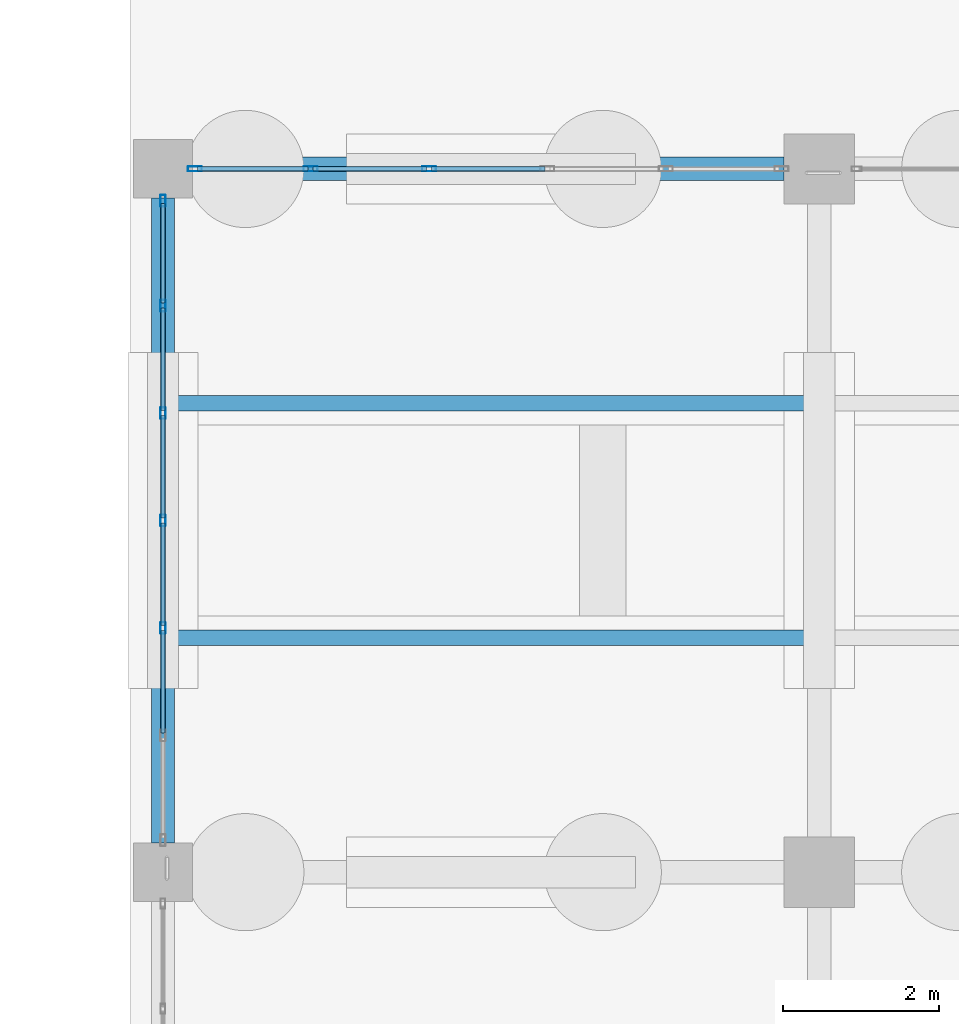
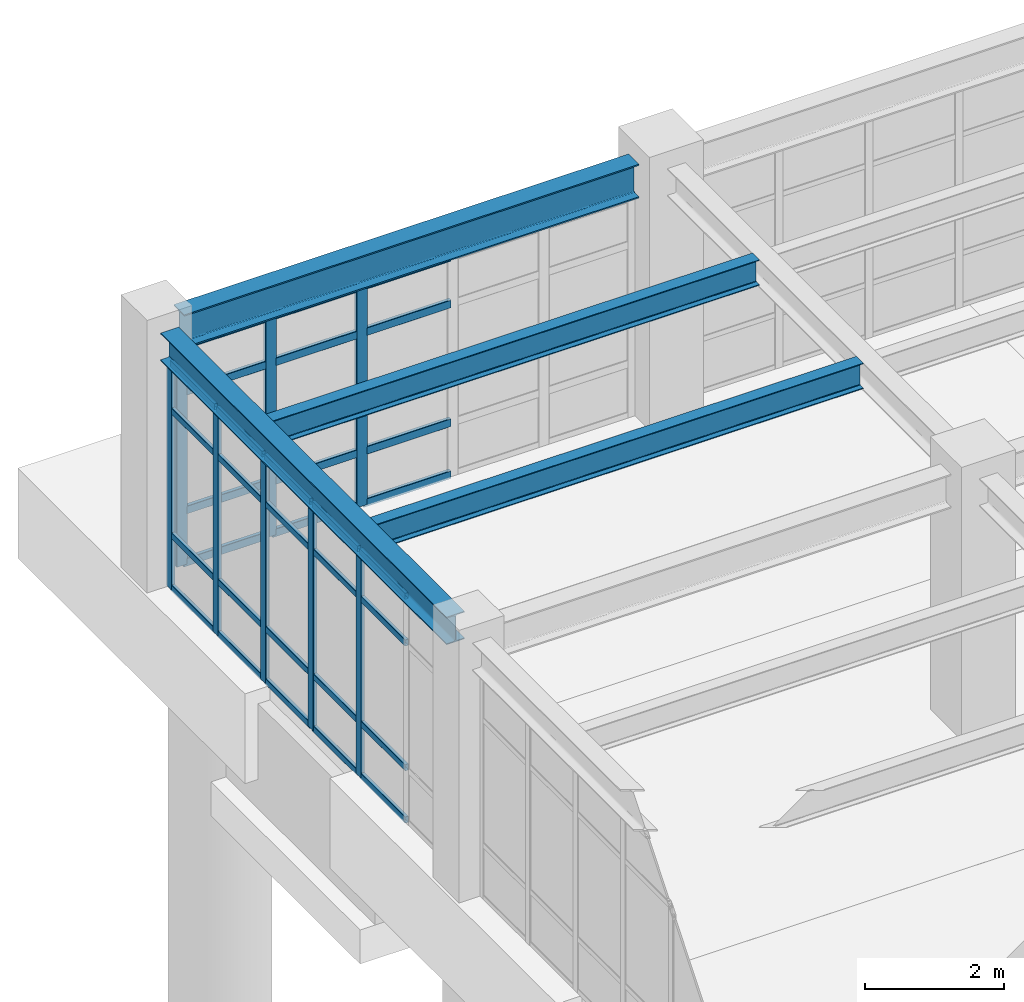
# One storey, part 61 of 139: 40 members, 4 beams, 2 elements without a shape of their own.
"""IFC4 building model written with IfcOpenShell, lengths in metres."""

import ifcopenshell
import ifcopenshell.guid

model = None  # the IFC model being written
_history = None  # IfcOwnerHistory: only IFC2X3 demands one
_inside = {}  # id of a spatial element -> (the spatial element, [elements in it])
_under = {}  # id of a project, library or spatial element -> (it, [spatial elements below it])
_declared = {}  # id of a project -> (the project, [libraries it declares])
_typed = {}  # id of a type object -> (the type object, [elements of that type])
_made_of = {}  # id of a material, layer set ... -> (it, [elements and type objects made of it])


def new_model(schema):
    """Start an empty IFC model of exactly this schema.

    Asked for "IFC4X3", IfcOpenShell would pick the latest addendum, in which some entities
    have other attributes; the version numbers below select the first issue.
    IFC2X3 requires an IfcOwnerHistory on every rooted entity: one is made here for all.
    """
    global model, _history
    if schema == "IFC4X3":
        model = ifcopenshell.file(schema_version=(4, 3, 0, 0))
    else:
        model = ifcopenshell.file(schema=schema)
    _inside.clear()
    _under.clear()
    _declared.clear()
    _typed.clear()
    _made_of.clear()
    _history = None
    if model.schema == "IFC2X3":
        org = make("IfcOrganization", Name="unknown")
        user = make(
            "IfcPersonAndOrganization",
            ThePerson=make("IfcPerson", FamilyName="unknown"),
            TheOrganization=org,
        )
        app = make(
            "IfcApplication",
            ApplicationDeveloper=org,
            Version="unknown",
            ApplicationFullName="unknown",
            ApplicationIdentifier="unknown",
        )
        _history = make(
            "IfcOwnerHistory",
            OwningUser=user,
            OwningApplication=app,
            ChangeAction="ADDED",
            CreationDate=0,
        )
    return model


def make(cls, **values):
    """One entity of the class cls with the attributes given. An attribute that is None is left unset."""
    return model.create_entity(
        cls, **{name: value for name, value in values.items() if value is not None}
    )


def rooted(cls, **values):
    """An entity with a GlobalId (a new one), such as an element, a storey or a relation."""
    return make(cls, GlobalId=ifcopenshell.guid.new(), OwnerHistory=_history, **values)


def si_unit(unit_type, name, prefix=None):
    """IfcSIUnit, for example si_unit("LENGTHUNIT", "METRE", prefix="MILLI")."""
    return make("IfcSIUnit", UnitType=unit_type, Prefix=prefix, Name=name)


def assignment(units):
    """IfcUnitAssignment: the units of a project."""
    return None if units is None else make("IfcUnitAssignment", Units=units)


def point(xyz):
    """IfcCartesianPoint."""
    return None if xyz is None else make("IfcCartesianPoint", Coordinates=xyz)


def direction(xyz):
    """IfcDirection."""
    return None if xyz is None else make("IfcDirection", DirectionRatios=xyz)


def frame(location, z_axis=None, x_axis=None):
    """IfcAxis2Placement3D, a coordinate frame: its origin and axes. An axis left out is left unset."""
    return make(
        "IfcAxis2Placement3D",
        Location=point(location),
        Axis=direction(z_axis),
        RefDirection=direction(x_axis),
    )


def frame_2d(location, x_axis=None):
    """IfcAxis2Placement2D, a coordinate frame in the plane: its origin and x axis."""
    return make(
        "IfcAxis2Placement2D", Location=point(location), RefDirection=direction(x_axis)
    )


def origin():
    """The frame at (0, 0, 0) with its axes left unset."""
    return frame((0.0, 0.0, 0.0))


def origin_2d():
    """The frame at (0, 0) in the plane with its x axis left unset."""
    return frame_2d((0.0, 0.0))


def place(relative_to, where):
    """IfcLocalPlacement: puts the frame where relative to a parent placement (None: the world)."""
    return make(
        "IfcLocalPlacement", PlacementRelTo=relative_to, RelativePlacement=where
    )


def context(
    kind, dimensions, precision=None, world=None, true_north=None, identifier=None
):
    """IfcGeometricRepresentationContext, for example the 3D "Model" context."""
    return make(
        "IfcGeometricRepresentationContext",
        ContextIdentifier=identifier,
        ContextType=kind,
        CoordinateSpaceDimension=dimensions,
        Precision=precision,
        WorldCoordinateSystem=world,
        TrueNorth=true_north,
    )


def subcontext(parent, identifier, kind, view, scale=None):
    """IfcGeometricRepresentationSubContext, for example "Body" below "Model"."""
    return make(
        "IfcGeometricRepresentationSubContext",
        ContextIdentifier=identifier,
        ContextType=kind,
        ParentContext=parent,
        TargetScale=scale,
        TargetView=view,
    )


def project(units=None, contexts=None):
    """IfcProject with its units and contexts."""
    return rooted(
        "IfcProject",
        Name="project",
        RepresentationContexts=contexts,
        UnitsInContext=assignment(units),
    )


def spatial(cls, under=None, at=None, **own):
    """A site, building, storey or space (cls), placed at a placement, below another one or the project."""
    s = rooted(cls, ObjectPlacement=at, **own)
    if under is not None:
        _under.setdefault(under.id(), (under, []))[1].append(s)
    return s


def profile(cls, at=None, kind="AREA", **sizes):
    """A parametric profile (cls). Its sizes go by their IFC names, for example OverallWidth=200.0."""
    return make(cls, ProfileType=kind, Position=at, **sizes)


def hollow_rectangle(**sizes):
    """IfcRectangleHollowProfileDef."""
    return profile("IfcRectangleHollowProfileDef", **sizes)


def i_section(**sizes):
    """IfcIShapeProfileDef."""
    return profile("IfcIShapeProfileDef", **sizes)


def extrude(swept, where, along, depth):
    """IfcExtrudedAreaSolid: the profile swept, set in the frame where, extruded along a direction by depth."""
    return make(
        "IfcExtrudedAreaSolid",
        SweptArea=swept,
        Position=where,
        ExtrudedDirection=direction(along),
        Depth=depth,
    )


def shape(context_of_items, identifier, shape_type, items):
    """IfcShapeRepresentation: the items that make up one representation, for example the "Body"."""
    return make(
        "IfcShapeRepresentation",
        ContextOfItems=context_of_items,
        RepresentationIdentifier=identifier,
        RepresentationType=shape_type,
        Items=items,
    )


def material(Name=None, Category=None):
    """IfcMaterial."""
    return make("IfcMaterial", Name=Name, Category=Category)


def material_profile(
    of_material, cross_section, Name=None, Category=None, Priority=None
):
    """IfcMaterialProfile: a cross section and its material."""
    return make(
        "IfcMaterialProfile",
        Name=Name,
        Material=of_material,
        Profile=cross_section,
        Priority=Priority,
        Category=Category,
    )


def profile_set(profiles, Name=None, composite=None):
    """IfcMaterialProfileSet."""
    return make(
        "IfcMaterialProfileSet",
        Name=Name,
        MaterialProfiles=profiles,
        CompositeProfile=composite,
    )


def made_of(thing, what):
    """Note that an element or type object is made of a material, layer set ...; save() writes the relation."""
    if what is not None:
        _made_of.setdefault(what.id(), (what, []))[1].append(thing)
    return thing


def type_object(cls, material=None, **own):
    """A type object (cls), such as IfcWallType, which elements share."""
    return made_of(rooted(cls, **own), material)


def element(
    cls,
    number,
    at=None,
    inside=None,
    cuts=None,
    type_object=None,
    material=None,
    context=None,
    identifier="Body",
    shape_type=None,
    held_by="IfcProductDefinitionShape",
    body=None,
    shapes=None,
    **own,
):
    """One element of the class cls, such as IfcWall. Its Tag is "e" and its number.

    at: its placement. inside: the storey or other place that contains it. cuts: it is an
    opening in that element (IfcRelVoidsElement). A single representation is given by context,
    identifier, shape_type and body (its items); several are given by shapes. held_by: the class
    of the entity that holds the representations. save() writes the other relations.
    """
    e = rooted(cls, Tag="e%d" % number, ObjectPlacement=at, **own)
    if body is not None:
        shapes = [shape(context, identifier, shape_type, body)]
    if shapes is not None:
        e.Representation = make(held_by, Representations=shapes)
    if inside is not None:
        _inside.setdefault(inside.id(), (inside, []))[1].append(e)
    if cuts is not None:
        rooted(
            "IfcRelVoidsElement", RelatingBuildingElement=cuts, RelatedOpeningElement=e
        )
    if type_object is not None:
        _typed.setdefault(type_object.id(), (type_object, []))[1].append(e)
    return made_of(e, material)


def aggregate(whole, parts):
    """IfcRelAggregates: a whole, such as a stair, and the parts it consists of."""
    return rooted("IfcRelAggregates", RelatingObject=whole, RelatedObjects=parts)


def save(model, path):
    """Write the relations noted so far, then the file.

    IfcRelAggregates (storeys below a building ...), IfcRelContainedInSpatialStructure (elements
    in a storey), IfcRelDefinesByType, IfcRelAssociatesMaterial and IfcRelDeclares: one each for
    every whole, place, type object, material and project.
    """
    for whole, parts in _under.values():
        aggregate(whole, parts)
    for where, things in _inside.values():
        rooted(
            "IfcRelContainedInSpatialStructure",
            RelatedElements=things,
            RelatingStructure=where,
        )
    for kind, things in _typed.values():
        rooted("IfcRelDefinesByType", RelatedObjects=things, RelatingType=kind)
    for what, things in _made_of.values():
        rooted("IfcRelAssociatesMaterial", RelatedObjects=things, RelatingMaterial=what)
    for by, libraries in _declared.values():
        rooted("IfcRelDeclares", RelatingContext=by, RelatedDefinitions=libraries)
    model.write(path)


model = new_model("IFC4")

# Units and contexts
model_context = context("Model", 3, precision=1e-05, world=origin(), true_north=direction((0.0, 1.0)))
body_context = subcontext(model_context, "Body", "Model", "MODEL_VIEW")
ifc_project = project(units=[si_unit("LENGTHUNIT", "METRE"), si_unit("AREAUNIT", "SQUARE_METRE"), si_unit("VOLUMEUNIT", "CUBIC_METRE"), si_unit("PLANEANGLEUNIT", "RADIAN"), si_unit("MASSUNIT", "GRAM", prefix="KILO")], contexts=[model_context])

# Site, building, storey
site_placement = place(None, origin())
site = spatial("IfcSite", under=ifc_project, at=site_placement, CompositionType="ELEMENT")
building_placement = place(site_placement, origin())
building = spatial("IfcBuilding", under=site, at=building_placement, Name="Canglan Escarpment Cableway Terminal", CompositionType="ELEMENT")
storey_placement = place(building_placement, frame((0.0, 0.0, 14.39990234375)))
storey = spatial("IfcBuildingStorey", under=building, at=storey_placement, Name="L03", CompositionType="ELEMENT", Elevation=14.39990234375)

# Beams
ifc_material_1 = material(Name="Steel Q355B", Category="steel")
ifc_material_profile_1 = material_profile(ifc_material_1, i_section(OverallWidth=0.300048828125, OverallDepth=0.488037109375, WebThickness=0.010986328125, FlangeThickness=0.01806640625, FilletRadius=0.02587890625, at=origin_2d()), Name="HM 488x300x11x18")
ifc_profile_set_1 = profile_set([ifc_material_profile_1], Name="Steel Q355B")
beam_type_1 = type_object("IfcBeamType", Name="BM-HM488", PredefinedType="BEAM", material=ifc_profile_set_1)
beam_1_placement = place(storey_placement, frame((111.5, 106.375, 4.256103515625), z_axis=(0.0, 1.0, 0.0), x_axis=(-1.0, 0.0, 0.0)))
element("IfcBeam", 1, at=beam_1_placement, inside=storey, type_object=beam_type_1, Name="Primary transverse girder B-09", PredefinedType="BEAM", context=body_context, shape_type="SweptSolid", body=[
    extrude(i_section(OverallWidth=0.300048828125, OverallDepth=0.488037109375, WebThickness=0.010986328125, FlangeThickness=0.01806640625, FilletRadius=0.02587890625, at=origin_2d()), origin(), (0.0, 0.0, 1.0), 8.25),
])
ifc_material_2 = material(Name="Steel Q355C", Category="steel")
ifc_material_profile_2 = material_profile(ifc_material_2, i_section(OverallWidth=0.302001953125, OverallDepth=0.593994140625, WebThickness=0.013916015625, FlangeThickness=0.02294921875, FilletRadius=0.028076171875, at=origin_2d()), Name="HM 594x302x14x23")
ifc_profile_set_2 = profile_set([ifc_material_profile_2], Name="Steel Q355C")
beam_type_2 = type_object("IfcBeamType", Name="BM-HM594", PredefinedType="BEAM", material=ifc_profile_set_2)
beam_2_placement = place(storey_placement, frame((111.875, 115.0, 4.203125), z_axis=(1.0, 0.0, 0.0), x_axis=(0.0, 1.0, 0.0)))
element("IfcBeam", 2, at=beam_2_placement, inside=storey, type_object=beam_type_2, Name="Primary structural girder B-07", PredefinedType="BEAM", context=body_context, shape_type="SweptSolid", body=[
    extrude(i_section(OverallWidth=0.302001953125, OverallDepth=0.593994140625, WebThickness=0.013916015625, FlangeThickness=0.02294921875, FilletRadius=0.028076171875, at=origin_2d()), origin(), (0.0, 0.0, 1.0), 7.574951171875),
])

# Curtain wall, members
ifc_material_3 = material(Name="Anodized bronze aluminium and Low-E double glazing", Category="aluminium")
curtain_wall_type_1 = type_object("IfcCurtainWallType", Name="CW-BAY-8250x4000", PredefinedType="NOTDEFINED", material=ifc_material_3)
curtain_wall_1_placement = place(storey_placement, origin())
curtain_wall_1 = element("IfcCurtainWall", 3, at=curtain_wall_1_placement, inside=storey, type_object=curtain_wall_type_1, Name="Classical bay-between-piers glazed curtain wall CW-48", PredefinedType="NOTDEFINED")
ifc_material_4 = material(Name="Thermally broken anodized aluminium 6063-T6", Category="aluminium")
ifc_material_profile_3 = material_profile(ifc_material_4, hollow_rectangle(XDim=0.06494140625, YDim=0.14990234375, WallThickness=0.00341796875, InnerFilletRadius=0.00341796875, OuterFilletRadius=0.007080078125, at=origin_2d()), Name="ALU-MULL 65x150x3.5")
ifc_profile_set_3 = profile_set([ifc_material_profile_3], Name="Thermally broken anodized aluminium 6063-T6")
member_type_1 = type_object("IfcMemberType", Name="CWM-02", PredefinedType="MULLION", material=ifc_profile_set_3)
member_1_placement = place(storey_placement, frame((111.5, 114.592529296875, 0.0), z_axis=(0.0, 0.0, 1.0), x_axis=(1.0, 0.0, 0.0)))
member_1 = element("IfcMember", 4, at=member_1_placement, type_object=member_type_1, Name="CW-48 mullion 1", PredefinedType="MULLION", context=body_context, shape_type="SweptSolid", body=[
    extrude(hollow_rectangle(XDim=0.06494140625, YDim=0.14990234375, WallThickness=0.00341796875, InnerFilletRadius=0.00341796875, OuterFilletRadius=0.007080078125, at=origin_2d()), origin(), (0.0, 0.0, 1.0), 3.9970703125),
])
member_2_placement = place(storey_placement, frame((111.5, 113.25, 0.0), z_axis=(0.0, 0.0, 1.0), x_axis=(1.0, 0.0, 0.0)))
member_2 = element("IfcMember", 5, at=member_2_placement, type_object=member_type_1, Name="CW-48 mullion 2", PredefinedType="MULLION", context=body_context, shape_type="SweptSolid", body=[
    extrude(hollow_rectangle(XDim=0.06494140625, YDim=0.14990234375, WallThickness=0.00341796875, InnerFilletRadius=0.00341796875, OuterFilletRadius=0.007080078125, at=origin_2d()), origin(), (0.0, 0.0, 1.0), 3.9970703125),
])
member_3_placement = place(storey_placement, frame((111.5, 111.875, 0.0), z_axis=(0.0, 0.0, 1.0), x_axis=(1.0, 0.0, 0.0)))
member_3 = element("IfcMember", 6, at=member_3_placement, type_object=member_type_1, Name="CW-48 mullion 3", PredefinedType="MULLION", context=body_context, shape_type="SweptSolid", body=[
    extrude(hollow_rectangle(XDim=0.06494140625, YDim=0.14990234375, WallThickness=0.00341796875, InnerFilletRadius=0.00341796875, OuterFilletRadius=0.007080078125, at=origin_2d()), origin(), (0.0, 0.0, 1.0), 3.9970703125),
])
member_4_placement = place(storey_placement, frame((111.5, 110.5, 0.0), z_axis=(0.0, 0.0, 1.0), x_axis=(1.0, 0.0, 0.0)))
member_4 = element("IfcMember", 7, at=member_4_placement, type_object=member_type_1, Name="CW-48 mullion 4", PredefinedType="MULLION", context=body_context, shape_type="SweptSolid", body=[
    extrude(hollow_rectangle(XDim=0.06494140625, YDim=0.14990234375, WallThickness=0.00341796875, InnerFilletRadius=0.00341796875, OuterFilletRadius=0.007080078125, at=origin_2d()), origin(), (0.0, 0.0, 1.0), 3.9970703125),
])
member_5_placement = place(storey_placement, frame((111.5, 109.125, 0.0), z_axis=(0.0, 0.0, 1.0), x_axis=(1.0, 0.0, 0.0)))
member_5 = element("IfcMember", 8, at=member_5_placement, type_object=member_type_1, Name="CW-48 mullion 5", PredefinedType="MULLION", context=body_context, shape_type="SweptSolid", body=[
    extrude(hollow_rectangle(XDim=0.06494140625, YDim=0.14990234375, WallThickness=0.00341796875, InnerFilletRadius=0.00341796875, OuterFilletRadius=0.007080078125, at=origin_2d()), origin(), (0.0, 0.0, 1.0), 3.9970703125),
])

curtain_wall_type_2 = type_object("IfcCurtainWallType", Name="CW-BAY-7575x3900", PredefinedType="NOTDEFINED", material=ifc_material_3)
curtain_wall_2_placement = place(storey_placement, origin())
curtain_wall_2 = element("IfcCurtainWall", 9, at=curtain_wall_2_placement, inside=storey, type_object=curtain_wall_type_2, Name="Classical bay-between-piers glazed curtain wall CW-49", PredefinedType="NOTDEFINED")
ifc_material_profile_4 = material_profile(ifc_material_4, hollow_rectangle(XDim=0.06494140625, YDim=0.179931640625, WallThickness=0.00390625, InnerFilletRadius=0.00390625, OuterFilletRadius=0.008056640625, at=origin_2d()), Name="ALU-MULL 65x180x4")
ifc_profile_set_4 = profile_set([ifc_material_profile_4], Name="Thermally broken anodized aluminium 6063-T6")
member_type_2 = type_object("IfcMemberType", Name="CWM-03", PredefinedType="MULLION", material=ifc_profile_set_4)
member_6_placement = place(storey_placement, frame((114.905029296875, 115.0, 0.0), z_axis=(0.0, 0.0, 1.0), x_axis=(0.0, -1.0, 0.0)))
member_6 = element("IfcMember", 10, at=member_6_placement, type_object=member_type_2, Name="CW-49 mullion 4", PredefinedType="MULLION", context=body_context, shape_type="SweptSolid", body=[
    extrude(hollow_rectangle(XDim=0.06494140625, YDim=0.179931640625, WallThickness=0.00390625, InnerFilletRadius=0.00390625, OuterFilletRadius=0.008056640625, at=origin_2d()), origin(), (0.0, 0.0, 1.0), 3.89111328125),
])
member_7_placement = place(storey_placement, frame((113.389892578125, 115.0, 0.0), z_axis=(0.0, 0.0, 1.0), x_axis=(0.0, -1.0, 0.0)))
member_7 = element("IfcMember", 11, at=member_7_placement, type_object=member_type_2, Name="CW-49 mullion 5", PredefinedType="MULLION", context=body_context, shape_type="SweptSolid", body=[
    extrude(hollow_rectangle(XDim=0.06494140625, YDim=0.179931640625, WallThickness=0.00390625, InnerFilletRadius=0.00390625, OuterFilletRadius=0.008056640625, at=origin_2d()), origin(), (0.0, 0.0, 1.0), 3.89111328125),
])
member_8_placement = place(storey_placement, frame((111.907470703125, 115.0, 0.0), z_axis=(0.0, 0.0, 1.0), x_axis=(0.0, -1.0, 0.0)))
member_8 = element("IfcMember", 12, at=member_8_placement, type_object=member_type_2, Name="CW-49 mullion 6", PredefinedType="MULLION", context=body_context, shape_type="SweptSolid", body=[
    extrude(hollow_rectangle(XDim=0.06494140625, YDim=0.179931640625, WallThickness=0.00390625, InnerFilletRadius=0.00390625, OuterFilletRadius=0.008056640625, at=origin_2d()), origin(), (0.0, 0.0, 1.0), 3.89111328125),
])

# Member
ifc_material_profile_5 = material_profile(ifc_material_4, hollow_rectangle(XDim=0.06005859375, YDim=0.110107421875, WallThickness=0.0029296875, InnerFilletRadius=0.0029296875, OuterFilletRadius=0.006103515625, at=origin_2d()), Name="ALU-TRAN 60x110x3")
ifc_profile_set_5 = profile_set([ifc_material_profile_5], Name="Thermally broken anodized aluminium 6063-T6")
member_type_3 = type_object("IfcMemberType", Name="CWT-02", PredefinedType="USERDEFINED", material=ifc_profile_set_5)
member_9_placement = place(storey_placement, frame((111.5, 114.56005859375, 0.030029296875), z_axis=(0.0, -1.0, 0.0), x_axis=(1.0, 0.0, 0.0)))
member_9 = element("IfcMember", 13, at=member_9_placement, type_object=member_type_3, Name="CW-48 transom 1.1", ObjectType="TRANSOM", PredefinedType="USERDEFINED", context=body_context, shape_type="SweptSolid", body=[
    extrude(hollow_rectangle(XDim=0.06005859375, YDim=0.110107421875, WallThickness=0.0029296875, InnerFilletRadius=0.0029296875, OuterFilletRadius=0.006103515625, at=origin_2d()), origin(), (0.0, 0.0, 1.0), 1.277587890625),
])

member_10_placement = place(storey_placement, frame((111.5, 114.56005859375, 0.9501953125), z_axis=(0.0, -1.0, 0.0), x_axis=(1.0, 0.0, 0.0)))
member_10 = element("IfcMember", 14, at=member_10_placement, type_object=member_type_3, Name="CW-48 transom 1.2", ObjectType="TRANSOM", PredefinedType="USERDEFINED", context=body_context, shape_type="SweptSolid", body=[
    extrude(hollow_rectangle(XDim=0.06005859375, YDim=0.110107421875, WallThickness=0.0029296875, InnerFilletRadius=0.0029296875, OuterFilletRadius=0.006103515625, at=origin_2d()), origin(), (0.0, 0.0, 1.0), 1.277587890625),
])

member_11_placement = place(storey_placement, frame((111.5, 114.56005859375, 3.147216796875), z_axis=(0.0, -1.0, 0.0), x_axis=(1.0, 0.0, 0.0)))
member_11 = element("IfcMember", 15, at=member_11_placement, type_object=member_type_3, Name="CW-48 transom 1.3", ObjectType="TRANSOM", PredefinedType="USERDEFINED", context=body_context, shape_type="SweptSolid", body=[
    extrude(hollow_rectangle(XDim=0.06005859375, YDim=0.110107421875, WallThickness=0.0029296875, InnerFilletRadius=0.0029296875, OuterFilletRadius=0.006103515625, at=origin_2d()), origin(), (0.0, 0.0, 1.0), 1.277587890625),
])

member_12_placement = place(storey_placement, frame((111.5, 114.56005859375, 3.967041015625), z_axis=(0.0, -1.0, 0.0), x_axis=(1.0, 0.0, 0.0)))
member_12 = element("IfcMember", 16, at=member_12_placement, type_object=member_type_3, Name="CW-48 transom 1.4", ObjectType="TRANSOM", PredefinedType="USERDEFINED", context=body_context, shape_type="SweptSolid", body=[
    extrude(hollow_rectangle(XDim=0.06005859375, YDim=0.110107421875, WallThickness=0.0029296875, InnerFilletRadius=0.0029296875, OuterFilletRadius=0.006103515625, at=origin_2d()), origin(), (0.0, 0.0, 1.0), 1.277587890625),
])

member_13_placement = place(storey_placement, frame((111.5, 113.217529296875, 0.030029296875), z_axis=(0.0, -1.0, 0.0), x_axis=(1.0, 0.0, 0.0)))
member_13 = element("IfcMember", 17, at=member_13_placement, type_object=member_type_3, Name="CW-48 transom 2.1", ObjectType="TRANSOM", PredefinedType="USERDEFINED", context=body_context, shape_type="SweptSolid", body=[
    extrude(hollow_rectangle(XDim=0.06005859375, YDim=0.110107421875, WallThickness=0.0029296875, InnerFilletRadius=0.0029296875, OuterFilletRadius=0.006103515625, at=origin_2d()), origin(), (0.0, 0.0, 1.0), 1.31005859375),
])

member_14_placement = place(storey_placement, frame((111.5, 113.217529296875, 0.9501953125), z_axis=(0.0, -1.0, 0.0), x_axis=(1.0, 0.0, 0.0)))
member_14 = element("IfcMember", 18, at=member_14_placement, type_object=member_type_3, Name="CW-48 transom 2.2", ObjectType="TRANSOM", PredefinedType="USERDEFINED", context=body_context, shape_type="SweptSolid", body=[
    extrude(hollow_rectangle(XDim=0.06005859375, YDim=0.110107421875, WallThickness=0.0029296875, InnerFilletRadius=0.0029296875, OuterFilletRadius=0.006103515625, at=origin_2d()), origin(), (0.0, 0.0, 1.0), 1.31005859375),
])

member_15_placement = place(storey_placement, frame((111.5, 113.217529296875, 3.147216796875), z_axis=(0.0, -1.0, 0.0), x_axis=(1.0, 0.0, 0.0)))
member_15 = element("IfcMember", 19, at=member_15_placement, type_object=member_type_3, Name="CW-48 transom 2.3", ObjectType="TRANSOM", PredefinedType="USERDEFINED", context=body_context, shape_type="SweptSolid", body=[
    extrude(hollow_rectangle(XDim=0.06005859375, YDim=0.110107421875, WallThickness=0.0029296875, InnerFilletRadius=0.0029296875, OuterFilletRadius=0.006103515625, at=origin_2d()), origin(), (0.0, 0.0, 1.0), 1.31005859375),
])

member_16_placement = place(storey_placement, frame((111.5, 113.217529296875, 3.967041015625), z_axis=(0.0, -1.0, 0.0), x_axis=(1.0, 0.0, 0.0)))
member_16 = element("IfcMember", 20, at=member_16_placement, type_object=member_type_3, Name="CW-48 transom 2.4", ObjectType="TRANSOM", PredefinedType="USERDEFINED", context=body_context, shape_type="SweptSolid", body=[
    extrude(hollow_rectangle(XDim=0.06005859375, YDim=0.110107421875, WallThickness=0.0029296875, InnerFilletRadius=0.0029296875, OuterFilletRadius=0.006103515625, at=origin_2d()), origin(), (0.0, 0.0, 1.0), 1.31005859375),
])

member_17_placement = place(storey_placement, frame((111.5, 111.842529296875, 0.030029296875), z_axis=(0.0, -1.0, 0.0), x_axis=(1.0, 0.0, 0.0)))
member_17 = element("IfcMember", 21, at=member_17_placement, type_object=member_type_3, Name="CW-48 transom 3.1", ObjectType="TRANSOM", PredefinedType="USERDEFINED", context=body_context, shape_type="SweptSolid", body=[
    extrude(hollow_rectangle(XDim=0.06005859375, YDim=0.110107421875, WallThickness=0.0029296875, InnerFilletRadius=0.0029296875, OuterFilletRadius=0.006103515625, at=origin_2d()), origin(), (0.0, 0.0, 1.0), 1.31005859375),
])

member_18_placement = place(storey_placement, frame((111.5, 111.842529296875, 0.9501953125), z_axis=(0.0, -1.0, 0.0), x_axis=(1.0, 0.0, 0.0)))
member_18 = element("IfcMember", 22, at=member_18_placement, type_object=member_type_3, Name="CW-48 transom 3.2", ObjectType="TRANSOM", PredefinedType="USERDEFINED", context=body_context, shape_type="SweptSolid", body=[
    extrude(hollow_rectangle(XDim=0.06005859375, YDim=0.110107421875, WallThickness=0.0029296875, InnerFilletRadius=0.0029296875, OuterFilletRadius=0.006103515625, at=origin_2d()), origin(), (0.0, 0.0, 1.0), 1.31005859375),
])

member_19_placement = place(storey_placement, frame((111.5, 111.842529296875, 3.147216796875), z_axis=(0.0, -1.0, 0.0), x_axis=(1.0, 0.0, 0.0)))
member_19 = element("IfcMember", 23, at=member_19_placement, type_object=member_type_3, Name="CW-48 transom 3.3", ObjectType="TRANSOM", PredefinedType="USERDEFINED", context=body_context, shape_type="SweptSolid", body=[
    extrude(hollow_rectangle(XDim=0.06005859375, YDim=0.110107421875, WallThickness=0.0029296875, InnerFilletRadius=0.0029296875, OuterFilletRadius=0.006103515625, at=origin_2d()), origin(), (0.0, 0.0, 1.0), 1.31005859375),
])

member_20_placement = place(storey_placement, frame((111.5, 111.842529296875, 3.967041015625), z_axis=(0.0, -1.0, 0.0), x_axis=(1.0, 0.0, 0.0)))
member_20 = element("IfcMember", 24, at=member_20_placement, type_object=member_type_3, Name="CW-48 transom 3.4", ObjectType="TRANSOM", PredefinedType="USERDEFINED", context=body_context, shape_type="SweptSolid", body=[
    extrude(hollow_rectangle(XDim=0.06005859375, YDim=0.110107421875, WallThickness=0.0029296875, InnerFilletRadius=0.0029296875, OuterFilletRadius=0.006103515625, at=origin_2d()), origin(), (0.0, 0.0, 1.0), 1.31005859375),
])

member_21_placement = place(storey_placement, frame((111.5, 110.467529296875, 0.030029296875), z_axis=(0.0, -1.0, 0.0), x_axis=(1.0, 0.0, 0.0)))
member_21 = element("IfcMember", 25, at=member_21_placement, type_object=member_type_3, Name="CW-48 transom 4.1", ObjectType="TRANSOM", PredefinedType="USERDEFINED", context=body_context, shape_type="SweptSolid", body=[
    extrude(hollow_rectangle(XDim=0.06005859375, YDim=0.110107421875, WallThickness=0.0029296875, InnerFilletRadius=0.0029296875, OuterFilletRadius=0.006103515625, at=origin_2d()), origin(), (0.0, 0.0, 1.0), 1.31005859375),
])

member_22_placement = place(storey_placement, frame((111.5, 110.467529296875, 0.9501953125), z_axis=(0.0, -1.0, 0.0), x_axis=(1.0, 0.0, 0.0)))
member_22 = element("IfcMember", 26, at=member_22_placement, type_object=member_type_3, Name="CW-48 transom 4.2", ObjectType="TRANSOM", PredefinedType="USERDEFINED", context=body_context, shape_type="SweptSolid", body=[
    extrude(hollow_rectangle(XDim=0.06005859375, YDim=0.110107421875, WallThickness=0.0029296875, InnerFilletRadius=0.0029296875, OuterFilletRadius=0.006103515625, at=origin_2d()), origin(), (0.0, 0.0, 1.0), 1.31005859375),
])

member_23_placement = place(storey_placement, frame((111.5, 110.467529296875, 3.147216796875), z_axis=(0.0, -1.0, 0.0), x_axis=(1.0, 0.0, 0.0)))
member_23 = element("IfcMember", 27, at=member_23_placement, type_object=member_type_3, Name="CW-48 transom 4.3", ObjectType="TRANSOM", PredefinedType="USERDEFINED", context=body_context, shape_type="SweptSolid", body=[
    extrude(hollow_rectangle(XDim=0.06005859375, YDim=0.110107421875, WallThickness=0.0029296875, InnerFilletRadius=0.0029296875, OuterFilletRadius=0.006103515625, at=origin_2d()), origin(), (0.0, 0.0, 1.0), 1.31005859375),
])

member_24_placement = place(storey_placement, frame((111.5, 110.467529296875, 3.967041015625), z_axis=(0.0, -1.0, 0.0), x_axis=(1.0, 0.0, 0.0)))
member_24 = element("IfcMember", 28, at=member_24_placement, type_object=member_type_3, Name="CW-48 transom 4.4", ObjectType="TRANSOM", PredefinedType="USERDEFINED", context=body_context, shape_type="SweptSolid", body=[
    extrude(hollow_rectangle(XDim=0.06005859375, YDim=0.110107421875, WallThickness=0.0029296875, InnerFilletRadius=0.0029296875, OuterFilletRadius=0.006103515625, at=origin_2d()), origin(), (0.0, 0.0, 1.0), 1.31005859375),
])

member_25_placement = place(storey_placement, frame((111.5, 109.092529296875, 0.030029296875), z_axis=(0.0, -1.0, 0.0), x_axis=(1.0, 0.0, 0.0)))
member_25 = element("IfcMember", 29, at=member_25_placement, type_object=member_type_3, Name="CW-48 transom 5.1", ObjectType="TRANSOM", PredefinedType="USERDEFINED", context=body_context, shape_type="SweptSolid", body=[
    extrude(hollow_rectangle(XDim=0.06005859375, YDim=0.110107421875, WallThickness=0.0029296875, InnerFilletRadius=0.0029296875, OuterFilletRadius=0.006103515625, at=origin_2d()), origin(), (0.0, 0.0, 1.0), 1.31005859375),
])

member_26_placement = place(storey_placement, frame((111.5, 109.092529296875, 0.9501953125), z_axis=(0.0, -1.0, 0.0), x_axis=(1.0, 0.0, 0.0)))
member_26 = element("IfcMember", 30, at=member_26_placement, type_object=member_type_3, Name="CW-48 transom 5.2", ObjectType="TRANSOM", PredefinedType="USERDEFINED", context=body_context, shape_type="SweptSolid", body=[
    extrude(hollow_rectangle(XDim=0.06005859375, YDim=0.110107421875, WallThickness=0.0029296875, InnerFilletRadius=0.0029296875, OuterFilletRadius=0.006103515625, at=origin_2d()), origin(), (0.0, 0.0, 1.0), 1.31005859375),
])

member_27_placement = place(storey_placement, frame((111.5, 109.092529296875, 3.147216796875), z_axis=(0.0, -1.0, 0.0), x_axis=(1.0, 0.0, 0.0)))
member_27 = element("IfcMember", 31, at=member_27_placement, type_object=member_type_3, Name="CW-48 transom 5.3", ObjectType="TRANSOM", PredefinedType="USERDEFINED", context=body_context, shape_type="SweptSolid", body=[
    extrude(hollow_rectangle(XDim=0.06005859375, YDim=0.110107421875, WallThickness=0.0029296875, InnerFilletRadius=0.0029296875, OuterFilletRadius=0.006103515625, at=origin_2d()), origin(), (0.0, 0.0, 1.0), 1.31005859375),
])

member_28_placement = place(storey_placement, frame((111.5, 109.092529296875, 3.967041015625), z_axis=(0.0, -1.0, 0.0), x_axis=(1.0, 0.0, 0.0)))
member_28 = element("IfcMember", 32, at=member_28_placement, type_object=member_type_3, Name="CW-48 transom 5.4", ObjectType="TRANSOM", PredefinedType="USERDEFINED", context=body_context, shape_type="SweptSolid", body=[
    extrude(hollow_rectangle(XDim=0.06005859375, YDim=0.110107421875, WallThickness=0.0029296875, InnerFilletRadius=0.0029296875, OuterFilletRadius=0.006103515625, at=origin_2d()), origin(), (0.0, 0.0, 1.0), 1.31005859375),
])

aggregate(curtain_wall_1, [member_1, member_2, member_3, member_4, member_5, member_9, member_10, member_11, member_12, member_13, member_14, member_15, member_16, member_17, member_18, member_19, member_20, member_21, member_22, member_23, member_24, member_25, member_26, member_27, member_28])

ifc_material_profile_6 = material_profile(ifc_material_4, hollow_rectangle(XDim=0.06494140625, YDim=0.139892578125, WallThickness=0.00341796875, InnerFilletRadius=0.00341796875, OuterFilletRadius=0.007080078125, at=origin_2d()), Name="ALU-TRAN 65x140x3.5")
ifc_profile_set_6 = profile_set([ifc_material_profile_6], Name="Thermally broken anodized aluminium 6063-T6")
member_type_4 = type_object("IfcMemberType", Name="CWT-03", PredefinedType="USERDEFINED", material=ifc_profile_set_6)
member_29_placement = place(storey_placement, frame((116.387451171875, 115.0, 0.03271484375), z_axis=(-1.0, 0.0, 0.0), x_axis=(0.0, -1.0, 0.0)))
member_29 = element("IfcMember", 33, at=member_29_placement, type_object=member_type_4, Name="CW-49 transom 3.1", ObjectType="TRANSOM", PredefinedType="USERDEFINED", context=body_context, shape_type="SweptSolid", body=[
    extrude(hollow_rectangle(XDim=0.06494140625, YDim=0.139892578125, WallThickness=0.00341796875, InnerFilletRadius=0.00341796875, OuterFilletRadius=0.007080078125, at=origin_2d()), origin(), (0.0, 0.0, 1.0), 1.449951171875),
])

member_30_placement = place(storey_placement, frame((116.387451171875, 115.0, 0.9501953125), z_axis=(-1.0, 0.0, 0.0), x_axis=(0.0, -1.0, 0.0)))
member_30 = element("IfcMember", 34, at=member_30_placement, type_object=member_type_4, Name="CW-49 transom 3.2", ObjectType="TRANSOM", PredefinedType="USERDEFINED", context=body_context, shape_type="SweptSolid", body=[
    extrude(hollow_rectangle(XDim=0.06494140625, YDim=0.139892578125, WallThickness=0.00341796875, InnerFilletRadius=0.00341796875, OuterFilletRadius=0.007080078125, at=origin_2d()), origin(), (0.0, 0.0, 1.0), 1.449951171875),
])

member_31_placement = place(storey_placement, frame((116.387451171875, 115.0, 3.041015625), z_axis=(-1.0, 0.0, 0.0), x_axis=(0.0, -1.0, 0.0)))
member_31 = element("IfcMember", 35, at=member_31_placement, type_object=member_type_4, Name="CW-49 transom 3.3", ObjectType="TRANSOM", PredefinedType="USERDEFINED", context=body_context, shape_type="SweptSolid", body=[
    extrude(hollow_rectangle(XDim=0.06494140625, YDim=0.139892578125, WallThickness=0.00341796875, InnerFilletRadius=0.00341796875, OuterFilletRadius=0.007080078125, at=origin_2d()), origin(), (0.0, 0.0, 1.0), 1.449951171875),
])

member_32_placement = place(storey_placement, frame((116.387451171875, 115.0, 3.858642578125), z_axis=(-1.0, 0.0, 0.0), x_axis=(0.0, -1.0, 0.0)))
member_32 = element("IfcMember", 36, at=member_32_placement, type_object=member_type_4, Name="CW-49 transom 3.4", ObjectType="TRANSOM", PredefinedType="USERDEFINED", context=body_context, shape_type="SweptSolid", body=[
    extrude(hollow_rectangle(XDim=0.06494140625, YDim=0.139892578125, WallThickness=0.00341796875, InnerFilletRadius=0.00341796875, OuterFilletRadius=0.007080078125, at=origin_2d()), origin(), (0.0, 0.0, 1.0), 1.449951171875),
])

member_33_placement = place(storey_placement, frame((114.87255859375, 115.0, 0.03271484375), z_axis=(-1.0, 0.0, 0.0), x_axis=(0.0, -1.0, 0.0)))
member_33 = element("IfcMember", 37, at=member_33_placement, type_object=member_type_4, Name="CW-49 transom 4.1", ObjectType="TRANSOM", PredefinedType="USERDEFINED", context=body_context, shape_type="SweptSolid", body=[
    extrude(hollow_rectangle(XDim=0.06494140625, YDim=0.139892578125, WallThickness=0.00341796875, InnerFilletRadius=0.00341796875, OuterFilletRadius=0.007080078125, at=origin_2d()), origin(), (0.0, 0.0, 1.0), 1.449951171875),
])

member_34_placement = place(storey_placement, frame((114.87255859375, 115.0, 0.9501953125), z_axis=(-1.0, 0.0, 0.0), x_axis=(0.0, -1.0, 0.0)))
member_34 = element("IfcMember", 38, at=member_34_placement, type_object=member_type_4, Name="CW-49 transom 4.2", ObjectType="TRANSOM", PredefinedType="USERDEFINED", context=body_context, shape_type="SweptSolid", body=[
    extrude(hollow_rectangle(XDim=0.06494140625, YDim=0.139892578125, WallThickness=0.00341796875, InnerFilletRadius=0.00341796875, OuterFilletRadius=0.007080078125, at=origin_2d()), origin(), (0.0, 0.0, 1.0), 1.449951171875),
])

member_35_placement = place(storey_placement, frame((114.87255859375, 115.0, 3.041015625), z_axis=(-1.0, 0.0, 0.0), x_axis=(0.0, -1.0, 0.0)))
member_35 = element("IfcMember", 39, at=member_35_placement, type_object=member_type_4, Name="CW-49 transom 4.3", ObjectType="TRANSOM", PredefinedType="USERDEFINED", context=body_context, shape_type="SweptSolid", body=[
    extrude(hollow_rectangle(XDim=0.06494140625, YDim=0.139892578125, WallThickness=0.00341796875, InnerFilletRadius=0.00341796875, OuterFilletRadius=0.007080078125, at=origin_2d()), origin(), (0.0, 0.0, 1.0), 1.449951171875),
])

member_36_placement = place(storey_placement, frame((114.87255859375, 115.0, 3.858642578125), z_axis=(-1.0, 0.0, 0.0), x_axis=(0.0, -1.0, 0.0)))
member_36 = element("IfcMember", 40, at=member_36_placement, type_object=member_type_4, Name="CW-49 transom 4.4", ObjectType="TRANSOM", PredefinedType="USERDEFINED", context=body_context, shape_type="SweptSolid", body=[
    extrude(hollow_rectangle(XDim=0.06494140625, YDim=0.139892578125, WallThickness=0.00341796875, InnerFilletRadius=0.00341796875, OuterFilletRadius=0.007080078125, at=origin_2d()), origin(), (0.0, 0.0, 1.0), 1.449951171875),
])

member_37_placement = place(storey_placement, frame((113.357421875, 115.0, 0.03271484375), z_axis=(-1.0, 0.0, 0.0), x_axis=(0.0, -1.0, 0.0)))
member_37 = element("IfcMember", 41, at=member_37_placement, type_object=member_type_4, Name="CW-49 transom 5.1", ObjectType="TRANSOM", PredefinedType="USERDEFINED", context=body_context, shape_type="SweptSolid", body=[
    extrude(hollow_rectangle(XDim=0.06494140625, YDim=0.139892578125, WallThickness=0.00341796875, InnerFilletRadius=0.00341796875, OuterFilletRadius=0.007080078125, at=origin_2d()), origin(), (0.0, 0.0, 1.0), 1.41748046875),
])

member_38_placement = place(storey_placement, frame((113.357421875, 115.0, 0.9501953125), z_axis=(-1.0, 0.0, 0.0), x_axis=(0.0, -1.0, 0.0)))
member_38 = element("IfcMember", 42, at=member_38_placement, type_object=member_type_4, Name="CW-49 transom 5.2", ObjectType="TRANSOM", PredefinedType="USERDEFINED", context=body_context, shape_type="SweptSolid", body=[
    extrude(hollow_rectangle(XDim=0.06494140625, YDim=0.139892578125, WallThickness=0.00341796875, InnerFilletRadius=0.00341796875, OuterFilletRadius=0.007080078125, at=origin_2d()), origin(), (0.0, 0.0, 1.0), 1.41748046875),
])

member_39_placement = place(storey_placement, frame((113.357421875, 115.0, 3.041015625), z_axis=(-1.0, 0.0, 0.0), x_axis=(0.0, -1.0, 0.0)))
member_39 = element("IfcMember", 43, at=member_39_placement, type_object=member_type_4, Name="CW-49 transom 5.3", ObjectType="TRANSOM", PredefinedType="USERDEFINED", context=body_context, shape_type="SweptSolid", body=[
    extrude(hollow_rectangle(XDim=0.06494140625, YDim=0.139892578125, WallThickness=0.00341796875, InnerFilletRadius=0.00341796875, OuterFilletRadius=0.007080078125, at=origin_2d()), origin(), (0.0, 0.0, 1.0), 1.41748046875),
])

member_40_placement = place(storey_placement, frame((113.357421875, 115.0, 3.858642578125), z_axis=(-1.0, 0.0, 0.0), x_axis=(0.0, -1.0, 0.0)))
member_40 = element("IfcMember", 44, at=member_40_placement, type_object=member_type_4, Name="CW-49 transom 5.4", ObjectType="TRANSOM", PredefinedType="USERDEFINED", context=body_context, shape_type="SweptSolid", body=[
    extrude(hollow_rectangle(XDim=0.06494140625, YDim=0.139892578125, WallThickness=0.00341796875, InnerFilletRadius=0.00341796875, OuterFilletRadius=0.007080078125, at=origin_2d()), origin(), (0.0, 0.0, 1.0), 1.41748046875),
])

aggregate(curtain_wall_2, [member_6, member_7, member_8, member_29, member_30, member_31, member_32, member_33, member_34, member_35, member_36, member_37, member_38, member_39, member_40])

# Beams
ifc_material_profile_7 = material_profile(ifc_material_1, i_section(OverallWidth=0.199951171875, OverallDepth=0.449951171875, WebThickness=0.009033203125, FlangeThickness=0.013916015625, FilletRadius=0.01806640625, at=origin_2d()), Name="HN 450x200x9x14")
ifc_profile_set_7 = profile_set([ifc_material_profile_7], Name="Steel Q355B")
beam_type_3 = type_object("IfcBeamType", Name="JS-HN450", PredefinedType="JOIST", material=ifc_profile_set_7)
for number, where, z_axis, x_axis, name in (
    (45, (111.64990234375, 109.0, 4.275146484375), (1.0, 0.0, 0.0), (0.0, 1.0, 0.0), "Secondary composite deck joist J-02"),
    (46, (111.64990234375, 112.0, 4.275146484375), (1.0, 0.0, 0.0), (0.0, 1.0, 0.0), "Secondary composite deck joist J-02"),
):
    element("IfcBeam", number, at=place(storey_placement, frame(where, z_axis=z_axis, x_axis=x_axis)), inside=storey, type_object=beam_type_3, Name=name, PredefinedType="JOIST", context=body_context, shape_type="SweptSolid", body=[
        extrude(i_section(OverallWidth=0.199951171875, OverallDepth=0.449951171875, WebThickness=0.009033203125, FlangeThickness=0.013916015625, FilletRadius=0.01806640625, at=origin_2d()), origin(), (0.0, 0.0, 1.0), 8.10009765625),
    ])

save(model, "model.ifc")
